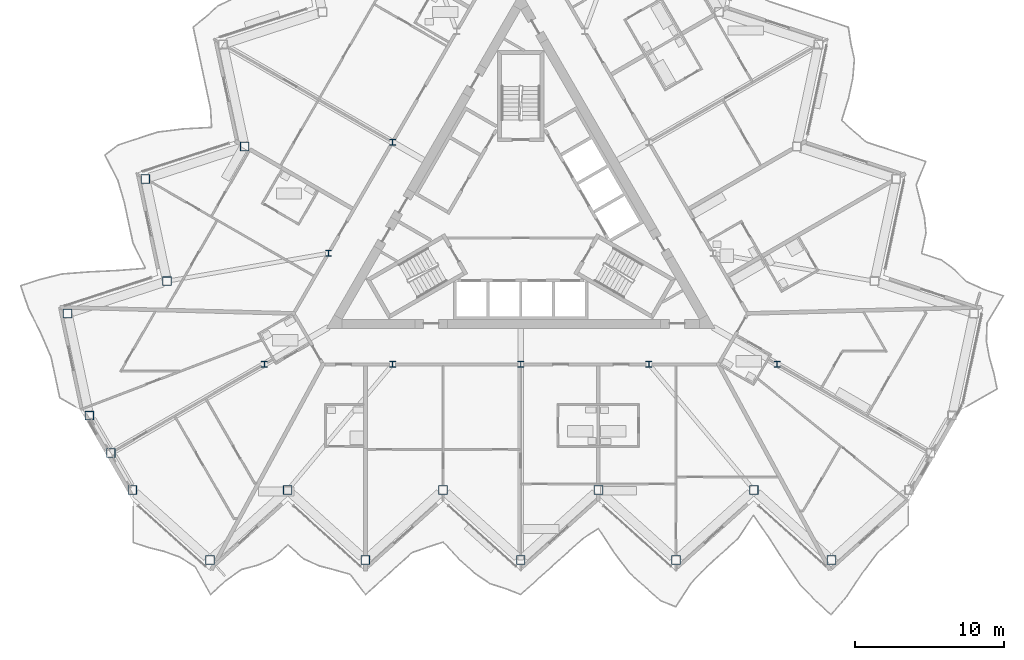
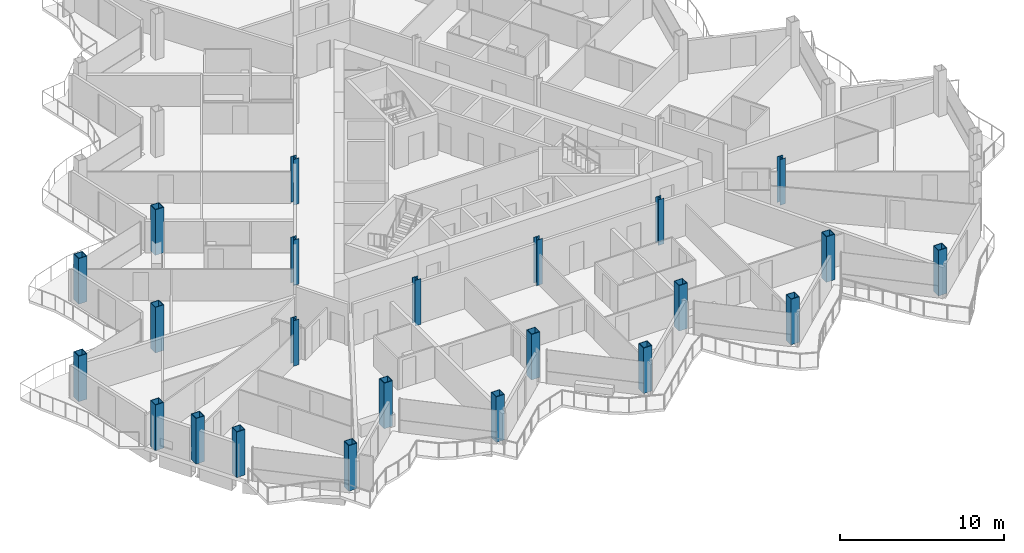
# One storey, part 1 of 28: 23 columns.
"""IFC4 building model written with IfcOpenShell, lengths in metres."""

import ifcopenshell
import ifcopenshell.guid

model = None  # the IFC model being written
_history = None  # IfcOwnerHistory: only IFC2X3 demands one
_inside = {}  # id of a spatial element -> (the spatial element, [elements in it])
_under = {}  # id of a project, library or spatial element -> (it, [spatial elements below it])
_declared = {}  # id of a project -> (the project, [libraries it declares])
_typed = {}  # id of a type object -> (the type object, [elements of that type])
_made_of = {}  # id of a material, layer set ... -> (it, [elements and type objects made of it])


def new_model(schema):
    """Start an empty IFC model of exactly this schema.

    Asked for "IFC4X3", IfcOpenShell would pick the latest addendum, in which some entities
    have other attributes; the version numbers below select the first issue.
    IFC2X3 requires an IfcOwnerHistory on every rooted entity: one is made here for all.
    """
    global model, _history
    if schema == "IFC4X3":
        model = ifcopenshell.file(schema_version=(4, 3, 0, 0))
    else:
        model = ifcopenshell.file(schema=schema)
    _inside.clear()
    _under.clear()
    _declared.clear()
    _typed.clear()
    _made_of.clear()
    _history = None
    if model.schema == "IFC2X3":
        org = make("IfcOrganization", Name="unknown")
        user = make(
            "IfcPersonAndOrganization",
            ThePerson=make("IfcPerson", FamilyName="unknown"),
            TheOrganization=org,
        )
        app = make(
            "IfcApplication",
            ApplicationDeveloper=org,
            Version="unknown",
            ApplicationFullName="unknown",
            ApplicationIdentifier="unknown",
        )
        _history = make(
            "IfcOwnerHistory",
            OwningUser=user,
            OwningApplication=app,
            ChangeAction="ADDED",
            CreationDate=0,
        )
    return model


def make(cls, **values):
    """One entity of the class cls with the attributes given. An attribute that is None is left unset."""
    return model.create_entity(
        cls, **{name: value for name, value in values.items() if value is not None}
    )


def rooted(cls, **values):
    """An entity with a GlobalId (a new one), such as an element, a storey or a relation."""
    return make(cls, GlobalId=ifcopenshell.guid.new(), OwnerHistory=_history, **values)


def si_unit(unit_type, name, prefix=None):
    """IfcSIUnit, for example si_unit("LENGTHUNIT", "METRE", prefix="MILLI")."""
    return make("IfcSIUnit", UnitType=unit_type, Prefix=prefix, Name=name)


def assignment(units):
    """IfcUnitAssignment: the units of a project."""
    return None if units is None else make("IfcUnitAssignment", Units=units)


def point(xyz):
    """IfcCartesianPoint."""
    return None if xyz is None else make("IfcCartesianPoint", Coordinates=xyz)


def direction(xyz):
    """IfcDirection."""
    return None if xyz is None else make("IfcDirection", DirectionRatios=xyz)


def frame(location, z_axis=None, x_axis=None):
    """IfcAxis2Placement3D, a coordinate frame: its origin and axes. An axis left out is left unset."""
    return make(
        "IfcAxis2Placement3D",
        Location=point(location),
        Axis=direction(z_axis),
        RefDirection=direction(x_axis),
    )


def frame_2d(location, x_axis=None):
    """IfcAxis2Placement2D, a coordinate frame in the plane: its origin and x axis."""
    return make(
        "IfcAxis2Placement2D", Location=point(location), RefDirection=direction(x_axis)
    )


def origin():
    """The frame at (0, 0, 0) with its axes left unset."""
    return frame((0.0, 0.0, 0.0))


def origin_2d():
    """The frame at (0, 0) in the plane with its x axis left unset."""
    return frame_2d((0.0, 0.0))


def place(relative_to, where):
    """IfcLocalPlacement: puts the frame where relative to a parent placement (None: the world)."""
    return make(
        "IfcLocalPlacement", PlacementRelTo=relative_to, RelativePlacement=where
    )


def context(
    kind, dimensions, precision=None, world=None, true_north=None, identifier=None
):
    """IfcGeometricRepresentationContext, for example the 3D "Model" context."""
    return make(
        "IfcGeometricRepresentationContext",
        ContextIdentifier=identifier,
        ContextType=kind,
        CoordinateSpaceDimension=dimensions,
        Precision=precision,
        WorldCoordinateSystem=world,
        TrueNorth=true_north,
    )


def subcontext(parent, identifier, kind, view, scale=None):
    """IfcGeometricRepresentationSubContext, for example "Body" below "Model"."""
    return make(
        "IfcGeometricRepresentationSubContext",
        ContextIdentifier=identifier,
        ContextType=kind,
        ParentContext=parent,
        TargetScale=scale,
        TargetView=view,
    )


def project(units=None, contexts=None):
    """IfcProject with its units and contexts."""
    return rooted(
        "IfcProject",
        Name="project",
        RepresentationContexts=contexts,
        UnitsInContext=assignment(units),
    )


def spatial(cls, under=None, at=None, **own):
    """A site, building, storey or space (cls), placed at a placement, below another one or the project."""
    s = rooted(cls, ObjectPlacement=at, **own)
    if under is not None:
        _under.setdefault(under.id(), (under, []))[1].append(s)
    return s


def profile(cls, at=None, kind="AREA", **sizes):
    """A parametric profile (cls). Its sizes go by their IFC names, for example OverallWidth=200.0."""
    return make(cls, ProfileType=kind, Position=at, **sizes)


def hollow_rectangle(**sizes):
    """IfcRectangleHollowProfileDef."""
    return profile("IfcRectangleHollowProfileDef", **sizes)


def i_section(**sizes):
    """IfcIShapeProfileDef."""
    return profile("IfcIShapeProfileDef", **sizes)


def extrude(swept, where, along, depth):
    """IfcExtrudedAreaSolid: the profile swept, set in the frame where, extruded along a direction by depth."""
    return make(
        "IfcExtrudedAreaSolid",
        SweptArea=swept,
        Position=where,
        ExtrudedDirection=direction(along),
        Depth=depth,
    )


def shape(context_of_items, identifier, shape_type, items):
    """IfcShapeRepresentation: the items that make up one representation, for example the "Body"."""
    return make(
        "IfcShapeRepresentation",
        ContextOfItems=context_of_items,
        RepresentationIdentifier=identifier,
        RepresentationType=shape_type,
        Items=items,
    )


def material(Name=None, Category=None):
    """IfcMaterial."""
    return make("IfcMaterial", Name=Name, Category=Category)


def material_profile(
    of_material, cross_section, Name=None, Category=None, Priority=None
):
    """IfcMaterialProfile: a cross section and its material."""
    return make(
        "IfcMaterialProfile",
        Name=Name,
        Material=of_material,
        Profile=cross_section,
        Priority=Priority,
        Category=Category,
    )


def profile_set(profiles, Name=None, composite=None):
    """IfcMaterialProfileSet."""
    return make(
        "IfcMaterialProfileSet",
        Name=Name,
        MaterialProfiles=profiles,
        CompositeProfile=composite,
    )


def made_of(thing, what):
    """Note that an element or type object is made of a material, layer set ...; save() writes the relation."""
    if what is not None:
        _made_of.setdefault(what.id(), (what, []))[1].append(thing)
    return thing


def type_object(cls, material=None, **own):
    """A type object (cls), such as IfcWallType, which elements share."""
    return made_of(rooted(cls, **own), material)


def element(
    cls,
    number,
    at=None,
    inside=None,
    cuts=None,
    type_object=None,
    material=None,
    context=None,
    identifier="Body",
    shape_type=None,
    held_by="IfcProductDefinitionShape",
    body=None,
    shapes=None,
    **own,
):
    """One element of the class cls, such as IfcWall. Its Tag is "e" and its number.

    at: its placement. inside: the storey or other place that contains it. cuts: it is an
    opening in that element (IfcRelVoidsElement). A single representation is given by context,
    identifier, shape_type and body (its items); several are given by shapes. held_by: the class
    of the entity that holds the representations. save() writes the other relations.
    """
    e = rooted(cls, Tag="e%d" % number, ObjectPlacement=at, **own)
    if body is not None:
        shapes = [shape(context, identifier, shape_type, body)]
    if shapes is not None:
        e.Representation = make(held_by, Representations=shapes)
    if inside is not None:
        _inside.setdefault(inside.id(), (inside, []))[1].append(e)
    if cuts is not None:
        rooted(
            "IfcRelVoidsElement", RelatingBuildingElement=cuts, RelatedOpeningElement=e
        )
    if type_object is not None:
        _typed.setdefault(type_object.id(), (type_object, []))[1].append(e)
    return made_of(e, material)


def aggregate(whole, parts):
    """IfcRelAggregates: a whole, such as a stair, and the parts it consists of."""
    return rooted("IfcRelAggregates", RelatingObject=whole, RelatedObjects=parts)


def save(model, path):
    """Write the relations noted so far, then the file.

    IfcRelAggregates (storeys below a building ...), IfcRelContainedInSpatialStructure (elements
    in a storey), IfcRelDefinesByType, IfcRelAssociatesMaterial and IfcRelDeclares: one each for
    every whole, place, type object, material and project.
    """
    for whole, parts in _under.values():
        aggregate(whole, parts)
    for where, things in _inside.values():
        rooted(
            "IfcRelContainedInSpatialStructure",
            RelatedElements=things,
            RelatingStructure=where,
        )
    for kind, things in _typed.values():
        rooted("IfcRelDefinesByType", RelatedObjects=things, RelatingType=kind)
    for what, things in _made_of.values():
        rooted("IfcRelAssociatesMaterial", RelatedObjects=things, RelatingMaterial=what)
    for by, libraries in _declared.values():
        rooted("IfcRelDeclares", RelatingContext=by, RelatedDefinitions=libraries)
    model.write(path)


model = new_model("IFC4")

# Units and contexts
model_context = context("Model", 3, precision=1e-05, world=origin(), true_north=direction((0.0, 1.0)))
body_context = subcontext(model_context, "Body", "Model", "MODEL_VIEW")
ifc_project = project(units=[si_unit("LENGTHUNIT", "METRE"), si_unit("AREAUNIT", "SQUARE_METRE"), si_unit("VOLUMEUNIT", "CUBIC_METRE"), si_unit("PLANEANGLEUNIT", "RADIAN"), si_unit("MASSUNIT", "GRAM", prefix="KILO")], contexts=[model_context])

# Site, building, storey
site_placement = place(None, origin())
site = spatial("IfcSite", under=ifc_project, at=site_placement, CompositionType="ELEMENT")
building_placement = place(site_placement, origin())
building = spatial("IfcBuilding", under=site, at=building_placement, Name="Cormorant Prow Tower", CompositionType="ELEMENT")
storey_placement = place(building_placement, frame((0.0, 0.0, 301.800048828125)))
storey = spatial("IfcBuildingStorey", under=building, at=storey_placement, Name="L65", CompositionType="ELEMENT", Elevation=301.800048828125)

# Columns
ifc_material_1 = material(Name="Structural steel ASTM A572 Gr 50", Category="steel")
ifc_material_profile_1 = material_profile(ifc_material_1, hollow_rectangle(XDim=0.60009765625, YDim=0.60009765625, WallThickness=0.0400390625, at=origin_2d()), Name="Box 600x600x40")
ifc_profile_set_1 = profile_set([ifc_material_profile_1], Name="Structural steel ASTM A572 Gr 50")
column_type_1 = type_object("IfcColumnType", Name="Perimeter box column 600x600x40", PredefinedType="COLUMN", material=ifc_profile_set_1)
for number, where, z_axis, x_axis, name in (
    (1, (-25.995361328125, -18.326904296875, 0.0), (0.0, 0.0, 1.0), (1.0, 0.0, 0.0), "Perimeter column C6 at S00 L65"),
    (2, (-20.79638671875, -23.008056640625, 0.0), (0.0, 0.0, 1.0), (1.0, 0.0, 0.0), "Perimeter column C6 at S01 L65"),
    (3, (-15.59716796875, -18.326904296875, 0.0), (0.0, 0.0, 1.0), (1.0, 0.0, 0.0), "Perimeter column C6 at S02 L65"),
    (4, (-10.398193359375, -23.008056640625, 0.0), (0.0, 0.0, 1.0), (1.0, 0.0, 0.0), "Perimeter column C6 at S03 L65"),
    (5, (-5.198974609375, -18.326904296875, 0.0), (0.0, 0.0, 1.0), (1.0, 0.0, 0.0), "Perimeter column C6 at S04 L65"),
    (6, (0.0, -23.008056640625, 0.0), (0.0, 0.0, 1.0), (1.0, 0.0, 0.0), "Perimeter column C6 at S05 L65"),
    (7, (5.198974609375, -18.326904296875, 0.0), (0.0, 0.0, 1.0), (1.0, 0.0, 0.0), "Perimeter column C6 at S06 L65"),
    (8, (10.398193359375, -23.008056640625, 0.0), (0.0, 0.0, 1.0), (1.0, 0.0, 0.0), "Perimeter column C6 at S07 L65"),
    (9, (15.59716796875, -18.326904296875, 0.0), (0.0, 0.0, 1.0), (1.0, 0.0, 0.0), "Perimeter column C6 at S08 L65"),
    (10, (20.79638671875, -23.008056640625, 0.0), (0.0, 0.0, 1.0), (1.0, 0.0, 0.0), "Perimeter column C6 at S09 L65"),
    (11, (-18.470947265625, 4.660888671875, 0.0), (0.0, 0.0, 1.0), (1.0, 0.0, 0.0), "Perimeter column C6 at WNW06 L65"),
    (12, (-25.124755859375, 2.4990234375, 0.0), (0.0, 0.0, 1.0), (1.0, 0.0, 0.0), "Perimeter column C6 at WNW07 L65"),
    (13, (-23.670166015625, -4.34423828125, 0.0), (0.0, 0.0, 1.0), (1.0, 0.0, 0.0), "Perimeter column C6 at WNW08 L65"),
    (14, (-30.32373046875, -6.506103515625, 0.0), (0.0, 0.0, 1.0), (1.0, 0.0, 0.0), "Perimeter column C6 at WNW09 L65"),
    (15, (-28.869140625, -13.349365234375, 0.0), (0.0, 0.0, 1.0), (1.0, 0.0, 0.0), "Perimeter column C6 at WSW00 L65"),
    (16, (-27.432373046875, -15.838134765625, 0.0), (0.0, 0.0, 1.0), (1.0, 0.0, 0.0), "Perimeter column C6 at WSW01 L65"),
):
    element("IfcColumn", number, at=place(storey_placement, frame(where, z_axis=z_axis, x_axis=x_axis)), inside=storey, type_object=column_type_1, Name=name, PredefinedType="COLUMN", context=body_context, shape_type="SweptSolid", body=[
        extrude(hollow_rectangle(XDim=0.60009765625, YDim=0.60009765625, WallThickness=0.0400390625, at=origin_2d()), origin(), (0.0, 0.0, 1.0), 3.39990234375),
    ])
ifc_material_2 = material(Name="Structural steel ASTM A992 Gr 50", Category="steel")
ifc_material_profile_2 = material_profile(ifc_material_2, i_section(OverallWidth=0.3955078125, OverallDepth=0.380615234375, WebThickness=0.018798828125, FlangeThickness=0.0302734375, at=origin_2d()), Name="W14x159")
ifc_profile_set_2 = profile_set([ifc_material_profile_2], Name="Structural steel ASTM A992 Gr 50")
column_type_2 = type_object("IfcColumnType", Name="Ring column W14x159", PredefinedType="COLUMN", material=ifc_profile_set_2)
for number, where, z_axis, x_axis, name in (
    (17, (-8.578369140625, 4.952880859375, 0.0), (0.0, 0.0, 1.0), (1.0, 0.0, 0.0), "Ring column 3 L65"),
    (18, (-12.86767578125, -2.476318359375, 0.0), (0.0, 0.0, 1.0), (1.0, 0.0, 0.0), "Ring column 4 L65"),
    (19, (-17.156982421875, -9.905517578125, 0.0), (0.0, 0.0, 1.0), (1.0, 0.0, 0.0), "Ring column 5 L65"),
    (20, (-8.578369140625, -9.905517578125, 0.0), (0.0, 0.0, 1.0), (1.0, 0.0, 0.0), "Ring column 6 L65"),
    (21, (0.0, -9.905517578125, 0.0), (0.0, 0.0, 1.0), (1.0, 0.0, 0.0), "Ring column 7 L65"),
    (22, (8.578369140625, -9.905517578125, 0.0), (0.0, 0.0, 1.0), (1.0, 0.0, 0.0), "Ring column 8 L65"),
    (23, (17.156982421875, -9.905517578125, 0.0), (0.0, 0.0, 1.0), (1.0, 0.0, 0.0), "Ring column 9 L65"),
):
    element("IfcColumn", number, at=place(storey_placement, frame(where, z_axis=z_axis, x_axis=x_axis)), inside=storey, type_object=column_type_2, Name=name, PredefinedType="COLUMN", context=body_context, shape_type="SweptSolid", body=[
        extrude(i_section(OverallWidth=0.3955078125, OverallDepth=0.380615234375, WebThickness=0.018798828125, FlangeThickness=0.0302734375, at=origin_2d()), origin(), (0.0, 0.0, 1.0), 3.39990234375),
    ])

save(model, "model.ifc")
